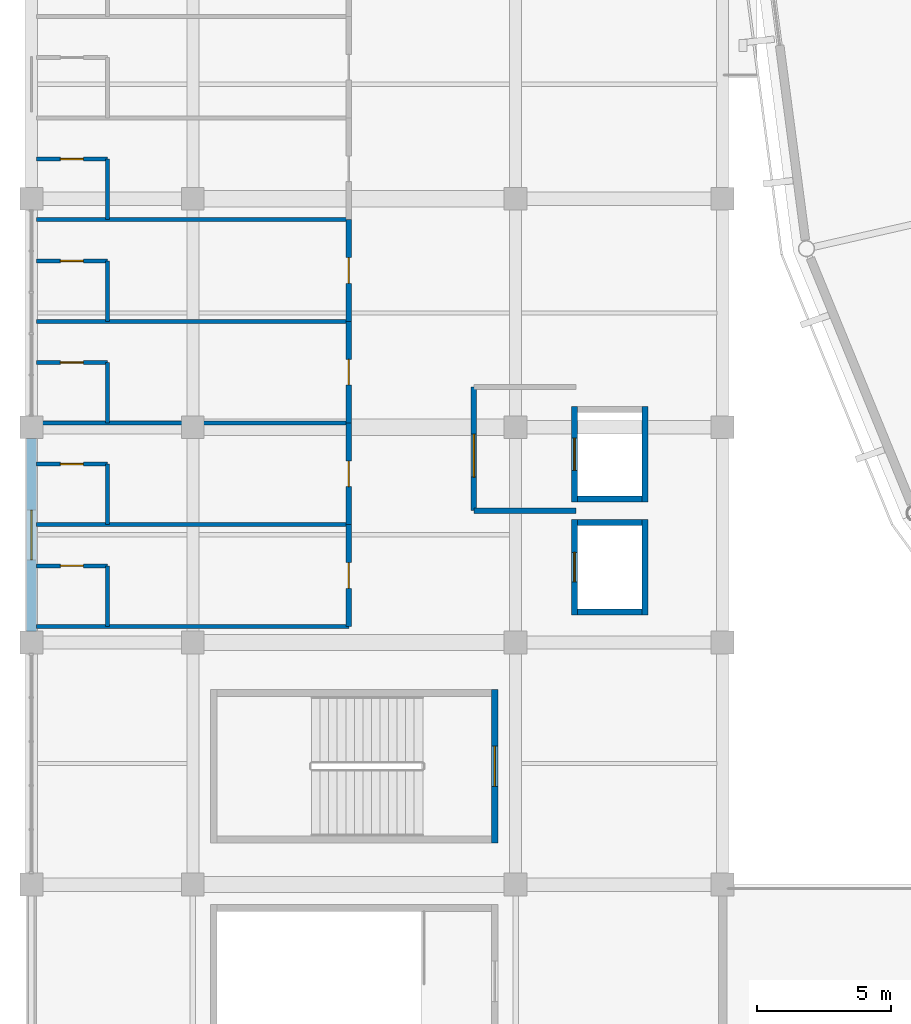
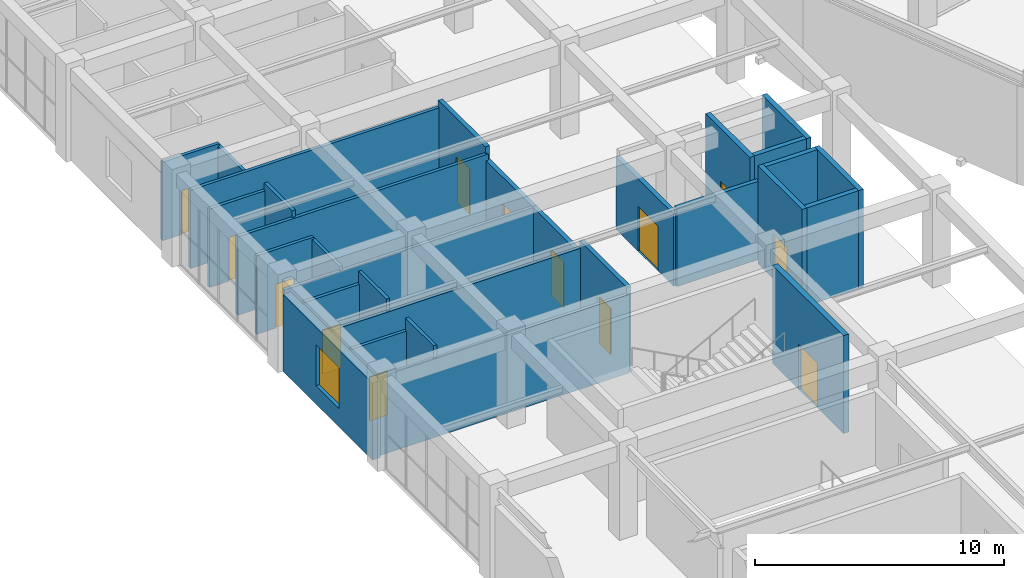
# One storey, part 94 of 122: 30 walls, 13 doors, 1 window, 14 openings.
"""IFC4 building model written with IfcOpenShell, lengths in metres."""

from ifc_helpers import new_model, si_unit, direction, frame, frame_2d, origin, place, context, subcontext, project, spatial, rectangle, extrude, material, layer, layer_set, type_object, element, fill, save


model = new_model("IFC4")

# Units and contexts
model_context = context("Model", 3, precision=1e-05, world=origin(), true_north=direction((0.0, 1.0)))
body_context = subcontext(model_context, "Body", "Model", "MODEL_VIEW")
ifc_project = project(units=[si_unit("LENGTHUNIT", "METRE"), si_unit("AREAUNIT", "SQUARE_METRE"), si_unit("VOLUMEUNIT", "CUBIC_METRE"), si_unit("PLANEANGLEUNIT", "RADIAN"), si_unit("MASSUNIT", "GRAM", prefix="KILO")], contexts=[model_context])

# Site, building, storey
site_placement = place(None, origin())
site = spatial("IfcSite", under=ifc_project, at=site_placement, CompositionType="ELEMENT")
building_placement = place(site_placement, origin())
building = spatial("IfcBuilding", under=site, at=building_placement, Name="Cuetzalor Civic Arena", CompositionType="ELEMENT")
storey_placement = place(building_placement, frame((0.0, 0.0, 16.199951171875)))
storey = spatial("IfcBuildingStorey", under=building, at=storey_placement, Name="L03", CompositionType="ELEMENT", Elevation=16.199951171875)

# Wall
ifc_material_1 = material(Name="Acoustic steel-stud gypsum partition", Category="steel")
ifc_layer_1 = layer(ifc_material_1, 0.14990234375)
ifc_layer_set_1 = layer_set([ifc_layer_1], Name="Acoustic steel-stud gypsum partition")
wall_type_1 = type_object("IfcWallType", Name="AcousticGypsumPartition_150", PredefinedType="PARTITIONING", material=ifc_layer_set_1)
wall_1_placement = place(storey_placement, frame((-81.820068359375, -24.39990234375, 0.0), z_axis=(0.0, 0.0, 1.0), x_axis=(1.0, 0.0, 0.0)))
element("IfcWall", 1, at=wall_1_placement, inside=storey, type_object=wall_type_1, Name="Interior Partition IWALL:L03:0387", PredefinedType="PARTITIONING", context=body_context, shape_type="SweptSolid", body=[
    extrude(rectangle(XDim=11.6201171875, YDim=0.14990234375, at=frame_2d((5.81005859375, 0.0))), origin(), (0.0, 0.0, 1.0), 3.844970703125),
])

# Wall, opening, door
wall_2_placement = place(storey_placement, frame((-81.820068359375, -22.14990234375, 0.0), z_axis=(0.0, 0.0, 1.0), x_axis=(1.0, 0.0, 0.0)))
wall_2 = element("IfcWall", 2, at=wall_2_placement, inside=storey, type_object=wall_type_1, Name="Interior Partition IWALL:L03:0388", PredefinedType="PARTITIONING", context=body_context, shape_type="SweptSolid", body=[
    extrude(rectangle(XDim=2.650146484375, YDim=0.14990234375, at=frame_2d((1.3251953125, 0.0))), origin(), (0.0, 0.0, 1.0), 3.844970703125),
])
opening_1_placement = place(wall_2_placement, frame((0.89990234375, 0.0, 0.0)))
opening_1 = element("IfcOpeningElement", 3, at=opening_1_placement, cuts=wall_2, Name="Opening ID-01", PredefinedType="OPENING", context=body_context, shape_type="SweptSolid", body=[
    extrude(rectangle(XDim=0.85009765625, YDim=2.14990234375, at=frame_2d((0.425048828125, 1.074951171875))), frame((0.0, 0.0849609375, 0.0), z_axis=(0.0, -1.0, 0.0), x_axis=(1.0, 0.0, 0.0)), (0.0, 0.0, 1.0), 0.169921875),
])
ifc_material_2 = material(Name="Painted steel frame and solid timber leaf", Category="steel")
door_type_1 = type_object("IfcDoorType", Name="InteriorSingleDoor_850x2150", OperationType="NOTDEFINED", PredefinedType="DOOR", material=ifc_material_2)
door_1_placement = place(opening_1_placement, origin())
door_1 = element("IfcDoor", 4, at=door_1_placement, inside=storey, type_object=door_type_1, Name="Door to Suite Bathroom 301", OperationType="SINGLE_SWING_LEFT", OverallHeight=2.14990234375, OverallWidth=0.85009765625, PredefinedType="DOOR", context=body_context, shape_type="SweptSolid", body=[
    extrude(rectangle(XDim=0.85009765625, YDim=2.14990234375, at=frame_2d((0.425048828125, 1.074951171875))), frame((0.0, 0.02490234375, 0.0), z_axis=(0.0, -1.0, 0.0), x_axis=(1.0, 0.0, 0.0)), (0.0, 0.0, 1.0), 0.050048828125),
])
fill(opening_1, door_1)

# Walls
wall_3_placement = place(storey_placement, frame((-79.169921875, -22.14990234375, 0.0), z_axis=(0.0, 0.0, 1.0), x_axis=(0.0, -1.0, 0.0)))
element("IfcWall", 5, at=wall_3_placement, inside=storey, type_object=wall_type_1, Name="Interior Partition IWALL:L03:0389", PredefinedType="PARTITIONING", context=body_context, shape_type="SweptSolid", body=[
    extrude(rectangle(XDim=2.25, YDim=0.14990234375, at=frame_2d((1.125, 0.0))), origin(), (0.0, 0.0, 1.0), 4.43994140625),
])
wall_4_placement = place(storey_placement, frame((-81.820068359375, -20.6201171875, 0.0), z_axis=(0.0, 0.0, 1.0), x_axis=(1.0, 0.0, 0.0)))
element("IfcWall", 6, at=wall_4_placement, inside=storey, type_object=wall_type_1, Name="Interior Partition IWALL:L03:0391", PredefinedType="PARTITIONING", context=body_context, shape_type="SweptSolid", body=[
    extrude(rectangle(XDim=11.6201171875, YDim=0.14990234375, at=frame_2d((5.81005859375, 0.0))), origin(), (0.0, 0.0, 1.0), 3.844970703125),
])

# Wall, opening, door
wall_5_placement = place(storey_placement, frame((-81.820068359375, -18.3701171875, 0.0), z_axis=(0.0, 0.0, 1.0), x_axis=(1.0, 0.0, 0.0)))
wall_5 = element("IfcWall", 7, at=wall_5_placement, inside=storey, type_object=wall_type_1, Name="Interior Partition IWALL:L03:0392", PredefinedType="PARTITIONING", context=body_context, shape_type="SweptSolid", body=[
    extrude(rectangle(XDim=2.650146484375, YDim=0.14990234375, at=frame_2d((1.3251953125, 0.0))), origin(), (0.0, 0.0, 1.0), 3.844970703125),
])
opening_2_placement = place(wall_5_placement, frame((0.89990234375, 0.0, 0.0)))
opening_2 = element("IfcOpeningElement", 8, at=opening_2_placement, cuts=wall_5, Name="Opening ID-01", PredefinedType="OPENING", context=body_context, shape_type="SweptSolid", body=[
    extrude(rectangle(XDim=0.85009765625, YDim=2.14990234375, at=frame_2d((0.425048828125, 1.074951171875))), frame((0.0, 0.0849609375, 0.0), z_axis=(0.0, -1.0, 0.0), x_axis=(1.0, 0.0, 0.0)), (0.0, 0.0, 1.0), 0.169921875),
])
door_2_placement = place(opening_2_placement, origin())
door_2 = element("IfcDoor", 9, at=door_2_placement, inside=storey, type_object=door_type_1, Name="Door to Suite Bathroom 302", OperationType="SINGLE_SWING_LEFT", OverallHeight=2.14990234375, OverallWidth=0.85009765625, PredefinedType="DOOR", context=body_context, shape_type="SweptSolid", body=[
    extrude(rectangle(XDim=0.85009765625, YDim=2.14990234375, at=frame_2d((0.425048828125, 1.074951171875))), frame((0.0, 0.02490234375, 0.0), z_axis=(0.0, -1.0, 0.0), x_axis=(1.0, 0.0, 0.0)), (0.0, 0.0, 1.0), 0.050048828125),
])
fill(opening_2, door_2)

# Walls
wall_6_placement = place(storey_placement, frame((-79.169921875, -18.3701171875, 0.0), z_axis=(0.0, 0.0, 1.0), x_axis=(0.0, -1.0, 0.0)))
element("IfcWall", 10, at=wall_6_placement, inside=storey, type_object=wall_type_1, Name="Interior Partition IWALL:L03:0393", PredefinedType="PARTITIONING", context=body_context, shape_type="SweptSolid", body=[
    extrude(rectangle(XDim=2.25, YDim=0.14990234375, at=frame_2d((1.125, 0.0))), origin(), (0.0, 0.0, 1.0), 4.43994140625),
])
wall_7_placement = place(storey_placement, frame((-81.820068359375, -16.840087890625, 0.0), z_axis=(0.0, 0.0, 1.0), x_axis=(1.0, 0.0, 0.0)))
element("IfcWall", 11, at=wall_7_placement, inside=storey, type_object=wall_type_1, Name="Interior Partition IWALL:L03:0395", PredefinedType="PARTITIONING", context=body_context, shape_type="SweptSolid", body=[
    extrude(rectangle(XDim=11.6201171875, YDim=0.14990234375, at=frame_2d((5.81005859375, 0.0))), origin(), (0.0, 0.0, 1.0), 3.545166015625),
])

# Wall, opening, door
wall_8_placement = place(storey_placement, frame((-81.820068359375, -14.590087890625, 0.0), z_axis=(0.0, 0.0, 1.0), x_axis=(1.0, 0.0, 0.0)))
wall_8 = element("IfcWall", 12, at=wall_8_placement, inside=storey, type_object=wall_type_1, Name="Interior Partition IWALL:L03:0396", PredefinedType="PARTITIONING", context=body_context, shape_type="SweptSolid", body=[
    extrude(rectangle(XDim=2.650146484375, YDim=0.14990234375, at=frame_2d((1.3251953125, 0.0))), origin(), (0.0, 0.0, 1.0), 3.844970703125),
])
opening_3_placement = place(wall_8_placement, frame((0.89990234375, 0.0, 0.0)))
opening_3 = element("IfcOpeningElement", 13, at=opening_3_placement, cuts=wall_8, Name="Opening ID-01", PredefinedType="OPENING", context=body_context, shape_type="SweptSolid", body=[
    extrude(rectangle(XDim=0.85009765625, YDim=2.14990234375, at=frame_2d((0.425048828125, 1.074951171875))), frame((0.0, 0.0849609375, 0.0), z_axis=(0.0, -1.0, 0.0), x_axis=(1.0, 0.0, 0.0)), (0.0, 0.0, 1.0), 0.169921875),
])
door_3_placement = place(opening_3_placement, origin())
door_3 = element("IfcDoor", 14, at=door_3_placement, inside=storey, type_object=door_type_1, Name="Door to Suite Bathroom 303", OperationType="SINGLE_SWING_LEFT", OverallHeight=2.14990234375, OverallWidth=0.85009765625, PredefinedType="DOOR", context=body_context, shape_type="SweptSolid", body=[
    extrude(rectangle(XDim=0.85009765625, YDim=2.14990234375, at=frame_2d((0.425048828125, 1.074951171875))), frame((0.0, 0.02490234375, 0.0), z_axis=(0.0, -1.0, 0.0), x_axis=(1.0, 0.0, 0.0)), (0.0, 0.0, 1.0), 0.050048828125),
])
fill(opening_3, door_3)

# Walls
wall_9_placement = place(storey_placement, frame((-79.169921875, -14.590087890625, 0.0), z_axis=(0.0, 0.0, 1.0), x_axis=(0.0, -1.0, 0.0)))
element("IfcWall", 15, at=wall_9_placement, inside=storey, type_object=wall_type_1, Name="Interior Partition IWALL:L03:0397", PredefinedType="PARTITIONING", context=body_context, shape_type="SweptSolid", body=[
    extrude(rectangle(XDim=2.25, YDim=0.14990234375, at=frame_2d((1.125, 0.0))), origin(), (0.0, 0.0, 1.0), 3.7451171875),
])
wall_10_placement = place(storey_placement, frame((-81.820068359375, -13.06005859375, 0.0), z_axis=(0.0, 0.0, 1.0), x_axis=(1.0, 0.0, 0.0)))
element("IfcWall", 16, at=wall_10_placement, inside=storey, type_object=wall_type_1, Name="Interior Partition IWALL:L03:0399", PredefinedType="PARTITIONING", context=body_context, shape_type="SweptSolid", body=[
    extrude(rectangle(XDim=11.6201171875, YDim=0.14990234375, at=frame_2d((5.81005859375, 0.0))), origin(), (0.0, 0.0, 1.0), 3.844970703125),
])

# Wall, opening, door
wall_11_placement = place(storey_placement, frame((-81.820068359375, -10.81005859375, 0.0), z_axis=(0.0, 0.0, 1.0), x_axis=(1.0, 0.0, 0.0)))
wall_11 = element("IfcWall", 17, at=wall_11_placement, inside=storey, type_object=wall_type_1, Name="Interior Partition IWALL:L03:0400", PredefinedType="PARTITIONING", context=body_context, shape_type="SweptSolid", body=[
    extrude(rectangle(XDim=2.650146484375, YDim=0.14990234375, at=frame_2d((1.3251953125, 0.0))), origin(), (0.0, 0.0, 1.0), 3.844970703125),
])
opening_4_placement = place(wall_11_placement, frame((0.89990234375, 0.0, 0.0)))
opening_4 = element("IfcOpeningElement", 18, at=opening_4_placement, cuts=wall_11, Name="Opening ID-01", PredefinedType="OPENING", context=body_context, shape_type="SweptSolid", body=[
    extrude(rectangle(XDim=0.85009765625, YDim=2.14990234375, at=frame_2d((0.425048828125, 1.074951171875))), frame((0.0, 0.0849609375, 0.0), z_axis=(0.0, -1.0, 0.0), x_axis=(1.0, 0.0, 0.0)), (0.0, 0.0, 1.0), 0.169921875),
])
door_4_placement = place(opening_4_placement, origin())
door_4 = element("IfcDoor", 19, at=door_4_placement, inside=storey, type_object=door_type_1, Name="Door to Suite Bathroom 304", OperationType="SINGLE_SWING_LEFT", OverallHeight=2.14990234375, OverallWidth=0.85009765625, PredefinedType="DOOR", context=body_context, shape_type="SweptSolid", body=[
    extrude(rectangle(XDim=0.85009765625, YDim=2.14990234375, at=frame_2d((0.425048828125, 1.074951171875))), frame((0.0, 0.02490234375, 0.0), z_axis=(0.0, -1.0, 0.0), x_axis=(1.0, 0.0, 0.0)), (0.0, 0.0, 1.0), 0.050048828125),
])
fill(opening_4, door_4)

# Walls
wall_12_placement = place(storey_placement, frame((-79.169921875, -10.81005859375, 0.0), z_axis=(0.0, 0.0, 1.0), x_axis=(0.0, -1.0, 0.0)))
element("IfcWall", 20, at=wall_12_placement, inside=storey, type_object=wall_type_1, Name="Interior Partition IWALL:L03:0401", PredefinedType="PARTITIONING", context=body_context, shape_type="SweptSolid", body=[
    extrude(rectangle(XDim=2.25, YDim=0.14990234375, at=frame_2d((1.125, 0.0))), origin(), (0.0, 0.0, 1.0), 4.18212890625),
])
wall_13_placement = place(storey_placement, frame((-81.820068359375, -9.280029296875, 0.0), z_axis=(0.0, 0.0, 1.0), x_axis=(1.0, 0.0, 0.0)))
element("IfcWall", 21, at=wall_13_placement, inside=storey, type_object=wall_type_1, Name="Interior Partition IWALL:L03:0403", PredefinedType="PARTITIONING", context=body_context, shape_type="SweptSolid", body=[
    extrude(rectangle(XDim=11.6201171875, YDim=0.14990234375, at=frame_2d((5.81005859375, 0.0))), origin(), (0.0, 0.0, 1.0), 3.844970703125),
])

# Wall, opening, door
wall_14_placement = place(storey_placement, frame((-81.820068359375, -7.030029296875, 0.0), z_axis=(0.0, 0.0, 1.0), x_axis=(1.0, 0.0, 0.0)))
wall_14 = element("IfcWall", 22, at=wall_14_placement, inside=storey, type_object=wall_type_1, Name="Interior Partition IWALL:L03:0404", PredefinedType="PARTITIONING", context=body_context, shape_type="SweptSolid", body=[
    extrude(rectangle(XDim=2.650146484375, YDim=0.14990234375, at=frame_2d((1.3251953125, 0.0))), origin(), (0.0, 0.0, 1.0), 3.844970703125),
])
opening_5_placement = place(wall_14_placement, frame((0.89990234375, 0.0, 0.0)))
opening_5 = element("IfcOpeningElement", 23, at=opening_5_placement, cuts=wall_14, Name="Opening ID-01", PredefinedType="OPENING", context=body_context, shape_type="SweptSolid", body=[
    extrude(rectangle(XDim=0.85009765625, YDim=2.14990234375, at=frame_2d((0.425048828125, 1.074951171875))), frame((0.0, 0.0849609375, 0.0), z_axis=(0.0, -1.0, 0.0), x_axis=(1.0, 0.0, 0.0)), (0.0, 0.0, 1.0), 0.169921875),
])
door_5_placement = place(opening_5_placement, origin())
door_5 = element("IfcDoor", 24, at=door_5_placement, inside=storey, type_object=door_type_1, Name="Door to Suite Bathroom 305", OperationType="SINGLE_SWING_LEFT", OverallHeight=2.14990234375, OverallWidth=0.85009765625, PredefinedType="DOOR", context=body_context, shape_type="SweptSolid", body=[
    extrude(rectangle(XDim=0.85009765625, YDim=2.14990234375, at=frame_2d((0.425048828125, 1.074951171875))), frame((0.0, 0.02490234375, 0.0), z_axis=(0.0, -1.0, 0.0), x_axis=(1.0, 0.0, 0.0)), (0.0, 0.0, 1.0), 0.050048828125),
])
fill(opening_5, door_5)

# Wall
wall_15_placement = place(storey_placement, frame((-79.169921875, -7.030029296875, 0.0), z_axis=(0.0, 0.0, 1.0), x_axis=(0.0, -1.0, 0.0)))
element("IfcWall", 25, at=wall_15_placement, inside=storey, type_object=wall_type_1, Name="Interior Partition IWALL:L03:0405", PredefinedType="PARTITIONING", context=body_context, shape_type="SweptSolid", body=[
    extrude(rectangle(XDim=2.25, YDim=0.14990234375, at=frame_2d((1.125, 0.0))), origin(), (0.0, 0.0, 1.0), 3.7451171875),
])

# Wall, opening, door
ifc_material_3 = material(Name="Concrete C40/50", Category="concrete")
ifc_layer_2 = layer(ifc_material_3, 0.25)
ifc_layer_set_2 = layer_set([ifc_layer_2], Name="Concrete C40/50")
wall_type_2 = type_object("IfcWallType", Name="ConcreteCoreShearWall_250", PredefinedType="SHEAR", material=ifc_layer_set_2)
wall_16_placement = place(storey_placement, frame((-64.77490234375, -26.75, 0.0), z_axis=(0.0, 0.0, 1.0), x_axis=(0.0, -1.0, 0.0)))
wall_16 = element("IfcWall", 26, at=wall_16_placement, inside=storey, type_object=wall_type_2, Name="Stair Core Shear Wall ST-16-L03-E", PredefinedType="SHEAR", context=body_context, shape_type="SweptSolid", body=[
    extrude(rectangle(XDim=5.699951171875, YDim=0.25, at=frame_2d((2.85009765625, 0.0))), origin(), (0.0, 0.0, 1.0), 4.800048828125),
])
opening_6_placement = place(wall_16_placement, frame((2.10009765625, 0.0, 0.0)))
opening_6 = element("IfcOpeningElement", 27, at=opening_6_placement, cuts=wall_16, Name="Opening FD-03", PredefinedType="OPENING", context=body_context, shape_type="SweptSolid", body=[
    extrude(rectangle(XDim=1.5, YDim=2.199951171875, at=frame_2d((0.75, 1.10009765625))), frame((0.0, 0.135009765625, 0.0), z_axis=(0.0, -1.0, 0.0), x_axis=(1.0, 0.0, 0.0)), (0.0, 0.0, 1.0), 0.27001953125),
])
ifc_material_4 = material(Name="Fire-rated steel stair exit double door", Category="steel")
door_type_2 = type_object("IfcDoorType", Name="StairFireDoubleDoor_1500x2200", OperationType="DOUBLE_DOOR_SINGLE_SWING", PredefinedType="DOOR", material=ifc_material_4)
door_6_placement = place(opening_6_placement, origin())
door_6 = element("IfcDoor", 28, at=door_6_placement, inside=storey, type_object=door_type_2, Name="Fire Stair Door ST-16 L03", OperationType="DOUBLE_DOOR_SINGLE_SWING", OverallHeight=2.199951171875, OverallWidth=1.5, PredefinedType="DOOR", context=body_context, shape_type="SweptSolid", body=[
    extrude(rectangle(XDim=1.5, YDim=2.199951171875, at=frame_2d((0.75, 1.10009765625))), frame((0.0, 0.02490234375, 0.0), z_axis=(0.0, -1.0, 0.0), x_axis=(1.0, 0.0, 0.0)), (0.0, 0.0, 1.0), 0.050048828125),
])
fill(opening_6, door_6)

ifc_material_5 = material(Name="Fire-rated masonry and gypsum partition", Category="masonry")
ifc_layer_3 = layer(ifc_material_5, 0.199951171875)
ifc_layer_set_3 = layer_set([ifc_layer_3], Name="Fire-rated masonry and gypsum partition")
wall_type_3 = type_object("IfcWallType", Name="FireCompartmentWall_200", PredefinedType="PARTITIONING", material=ifc_layer_set_3)
wall_17_placement = place(storey_placement, frame((-65.550048828125, -20.10009765625, 0.0), z_axis=(0.0, 0.0, 1.0), x_axis=(0.0, 1.0, 0.0)))
wall_17 = element("IfcWall", 29, at=wall_17_placement, inside=storey, type_object=wall_type_3, Name="Interior Partition IWALL:L03:0010", PredefinedType="PARTITIONING", context=body_context, shape_type="SweptSolid", body=[
    extrude(rectangle(XDim=4.60009765625, YDim=0.199951171875, at=frame_2d((2.300048828125, 0.0))), origin(), (0.0, 0.0, 1.0), 3.545166015625),
])
opening_7_placement = place(wall_17_placement, frame((1.25, 0.0, 0.0)))
opening_7 = element("IfcOpeningElement", 30, at=opening_7_placement, cuts=wall_17, Name="Opening FD-05", PredefinedType="OPENING", context=body_context, shape_type="SweptSolid", body=[
    extrude(rectangle(XDim=1.60009765625, YDim=2.199951171875, at=frame_2d((0.800048828125, 1.10009765625))), frame((0.0, 0.10986328125, 0.0), z_axis=(0.0, -1.0, 0.0), x_axis=(1.0, 0.0, 0.0)), (0.0, 0.0, 1.0), 0.219970703125),
])
ifc_material_6 = material(Name="Fire-rated smoke-seal lobby double door", Category="steel")
door_type_3 = type_object("IfcDoorType", Name="FireLobbyDoubleDoor_1600x2200", OperationType="DOUBLE_DOOR_SINGLE_SWING", PredefinedType="DOOR", material=ifc_material_6)
door_7_placement = place(opening_7_placement, origin())
door_7 = element("IfcDoor", 31, at=door_7_placement, inside=storey, type_object=door_type_3, Name="Door to Firefighting Lift Lobby LF-01 L03", OperationType="DOUBLE_DOOR_SINGLE_SWING", OverallHeight=2.199951171875, OverallWidth=1.60009765625, PredefinedType="DOOR", context=body_context, shape_type="SweptSolid", body=[
    extrude(rectangle(XDim=1.60009765625, YDim=2.199951171875, at=frame_2d((0.800048828125, 1.10009765625))), frame((0.0, 0.02490234375, 0.0), z_axis=(0.0, -1.0, 0.0), x_axis=(1.0, 0.0, 0.0)), (0.0, 0.0, 1.0), 0.050048828125),
])
fill(opening_7, door_7)

# Wall
wall_18_placement = place(storey_placement, frame((-61.75, -20.10009765625, 0.0), z_axis=(0.0, 0.0, 1.0), x_axis=(-1.0, 0.0, 0.0)))
element("IfcWall", 32, at=wall_18_placement, inside=storey, type_object=wall_type_3, Name="Interior Partition IWALL:L03:0012", PredefinedType="PARTITIONING", context=body_context, shape_type="SweptSolid", body=[
    extrude(rectangle(XDim=3.800048828125, YDim=0.199951171875, at=frame_2d((1.89990234375, 0.0))), origin(), (0.0, 0.0, 1.0), 3.844970703125),
])

# Wall, opening, door
wall_19_placement = place(storey_placement, frame((-70.199951171875, -20.6201171875, 0.0), z_axis=(0.0, 0.0, 1.0), x_axis=(0.0, -1.0, 0.0)))
wall_19 = element("IfcWall", 33, at=wall_19_placement, inside=storey, type_object=wall_type_3, Name="Interior Partition IWALL:L03:0390", PredefinedType="PARTITIONING", context=body_context, shape_type="SweptSolid", body=[
    extrude(rectangle(XDim=3.77978515625, YDim=0.199951171875, at=frame_2d((1.889892578125, 0.0))), origin(), (0.0, 0.0, 1.0), 4.18212890625),
])
opening_8_placement = place(wall_19_placement, frame((1.4150390625, 0.0, 0.0)))
opening_8 = element("IfcOpeningElement", 34, at=opening_8_placement, cuts=wall_19, Name="Opening ID-05", PredefinedType="OPENING", context=body_context, shape_type="SweptSolid", body=[
    extrude(rectangle(XDim=0.949951171875, YDim=2.25, at=frame_2d((0.47509765625, 1.125))), frame((0.0, 0.10986328125, 0.0), z_axis=(0.0, -1.0, 0.0), x_axis=(1.0, 0.0, 0.0)), (0.0, 0.0, 1.0), 0.219970703125),
])
ifc_material_7 = material(Name="Bronze-clad fire-rated acoustic timber door", Category="wood")
door_type_4 = type_object("IfcDoorType", Name="SuiteEntryDoor_950x2150", OperationType="NOTDEFINED", PredefinedType="DOOR", material=ifc_material_7)
door_8_placement = place(opening_8_placement, origin())
door_8 = element("IfcDoor", 35, at=door_8_placement, inside=storey, type_object=door_type_4, Name="Door to Private Viewing Suite 301", OperationType="SINGLE_SWING_RIGHT", OverallHeight=2.25, OverallWidth=0.949951171875, PredefinedType="DOOR", context=body_context, shape_type="SweptSolid", body=[
    extrude(rectangle(XDim=0.949951171875, YDim=2.25, at=frame_2d((0.47509765625, 1.125))), frame((0.0, 0.02490234375, 0.0), z_axis=(0.0, -1.0, 0.0), x_axis=(1.0, 0.0, 0.0)), (0.0, 0.0, 1.0), 0.050048828125),
])
fill(opening_8, door_8)

wall_20_placement = place(storey_placement, frame((-70.199951171875, -16.840087890625, 0.0), z_axis=(0.0, 0.0, 1.0), x_axis=(0.0, -1.0, 0.0)))
wall_20 = element("IfcWall", 36, at=wall_20_placement, inside=storey, type_object=wall_type_3, Name="Interior Partition IWALL:L03:0394", PredefinedType="PARTITIONING", context=body_context, shape_type="SweptSolid", body=[
    extrude(rectangle(XDim=3.780029296875, YDim=0.199951171875, at=frame_2d((1.89013671875, 0.0))), origin(), (0.0, 0.0, 1.0), 3.545166015625),
])
opening_9_placement = place(wall_20_placement, frame((1.4150390625, 0.0, 0.0)))
opening_9 = element("IfcOpeningElement", 37, at=opening_9_placement, cuts=wall_20, Name="Opening ID-05", PredefinedType="OPENING", context=body_context, shape_type="SweptSolid", body=[
    extrude(rectangle(XDim=0.949951171875, YDim=2.25, at=frame_2d((0.47509765625, 1.125))), frame((0.0, 0.10986328125, 0.0), z_axis=(0.0, -1.0, 0.0), x_axis=(1.0, 0.0, 0.0)), (0.0, 0.0, 1.0), 0.219970703125),
])
door_9_placement = place(opening_9_placement, origin())
door_9 = element("IfcDoor", 38, at=door_9_placement, inside=storey, type_object=door_type_4, Name="Door to Private Viewing Suite 302", OperationType="SINGLE_SWING_RIGHT", OverallHeight=2.25, OverallWidth=0.949951171875, PredefinedType="DOOR", context=body_context, shape_type="SweptSolid", body=[
    extrude(rectangle(XDim=0.949951171875, YDim=2.25, at=frame_2d((0.47509765625, 1.125))), frame((0.0, 0.02490234375, 0.0), z_axis=(0.0, -1.0, 0.0), x_axis=(1.0, 0.0, 0.0)), (0.0, 0.0, 1.0), 0.050048828125),
])
fill(opening_9, door_9)

wall_21_placement = place(storey_placement, frame((-70.199951171875, -13.06005859375, 0.0), z_axis=(0.0, 0.0, 1.0), x_axis=(0.0, -1.0, 0.0)))
wall_21 = element("IfcWall", 39, at=wall_21_placement, inside=storey, type_object=wall_type_3, Name="Interior Partition IWALL:L03:0398", PredefinedType="PARTITIONING", context=body_context, shape_type="SweptSolid", body=[
    extrude(rectangle(XDim=3.780029296875, YDim=0.199951171875, at=frame_2d((1.89013671875, 0.0))), origin(), (0.0, 0.0, 1.0), 3.545166015625),
])
opening_10_placement = place(wall_21_placement, frame((1.4150390625, 0.0, 0.0)))
opening_10 = element("IfcOpeningElement", 40, at=opening_10_placement, cuts=wall_21, Name="Opening ID-05", PredefinedType="OPENING", context=body_context, shape_type="SweptSolid", body=[
    extrude(rectangle(XDim=0.949951171875, YDim=2.25, at=frame_2d((0.47509765625, 1.125))), frame((0.0, 0.10986328125, 0.0), z_axis=(0.0, -1.0, 0.0), x_axis=(1.0, 0.0, 0.0)), (0.0, 0.0, 1.0), 0.219970703125),
])
door_10_placement = place(opening_10_placement, origin())
door_10 = element("IfcDoor", 41, at=door_10_placement, inside=storey, type_object=door_type_4, Name="Door to Private Viewing Suite 303", OperationType="SINGLE_SWING_RIGHT", OverallHeight=2.25, OverallWidth=0.949951171875, PredefinedType="DOOR", context=body_context, shape_type="SweptSolid", body=[
    extrude(rectangle(XDim=0.949951171875, YDim=2.25, at=frame_2d((0.47509765625, 1.125))), frame((0.0, 0.02490234375, 0.0), z_axis=(0.0, -1.0, 0.0), x_axis=(1.0, 0.0, 0.0)), (0.0, 0.0, 1.0), 0.050048828125),
])
fill(opening_10, door_10)

wall_22_placement = place(storey_placement, frame((-70.199951171875, -9.280029296875, 0.0), z_axis=(0.0, 0.0, 1.0), x_axis=(0.0, -1.0, 0.0)))
wall_22 = element("IfcWall", 42, at=wall_22_placement, inside=storey, type_object=wall_type_3, Name="Interior Partition IWALL:L03:0402", PredefinedType="PARTITIONING", context=body_context, shape_type="SweptSolid", body=[
    extrude(rectangle(XDim=3.780029296875, YDim=0.199951171875, at=frame_2d((1.89013671875, 0.0))), origin(), (0.0, 0.0, 1.0), 4.18212890625),
])
opening_11_placement = place(wall_22_placement, frame((1.4150390625, 0.0, 0.0)))
opening_11 = element("IfcOpeningElement", 43, at=opening_11_placement, cuts=wall_22, Name="Opening ID-05", PredefinedType="OPENING", context=body_context, shape_type="SweptSolid", body=[
    extrude(rectangle(XDim=0.949951171875, YDim=2.25, at=frame_2d((0.47509765625, 1.125))), frame((0.0, 0.10986328125, 0.0), z_axis=(0.0, -1.0, 0.0), x_axis=(1.0, 0.0, 0.0)), (0.0, 0.0, 1.0), 0.219970703125),
])
door_11_placement = place(opening_11_placement, origin())
door_11 = element("IfcDoor", 44, at=door_11_placement, inside=storey, type_object=door_type_4, Name="Door to Private Viewing Suite 304", OperationType="SINGLE_SWING_RIGHT", OverallHeight=2.25, OverallWidth=0.949951171875, PredefinedType="DOOR", context=body_context, shape_type="SweptSolid", body=[
    extrude(rectangle(XDim=0.949951171875, YDim=2.25, at=frame_2d((0.47509765625, 1.125))), frame((0.0, 0.02490234375, 0.0), z_axis=(0.0, -1.0, 0.0), x_axis=(1.0, 0.0, 0.0)), (0.0, 0.0, 1.0), 0.050048828125),
])
fill(opening_11, door_11)

ifc_material_8 = material(Name="Concrete C40/50", Category="concrete")
ifc_layer_4 = layer(ifc_material_8, 0.219970703125)
ifc_layer_set_4 = layer_set([ifc_layer_4], Name="Concrete C40/50")
wall_type_4 = type_object("IfcWallType", Name="LiftShaftShearWall_220", PredefinedType="SHEAR", material=ifc_layer_set_4)
wall_23_placement = place(storey_placement, frame((-61.81005859375, -19.77001953125, 0.0), z_axis=(0.0, 0.0, 1.0), x_axis=(0.0, 1.0, 0.0)))
wall_23 = element("IfcWall", 45, at=wall_23_placement, inside=storey, type_object=wall_type_4, Name="Lift Shaft Wall LF-01-L03-W", PredefinedType="SHEAR", context=body_context, shape_type="SweptSolid", body=[
    extrude(rectangle(XDim=3.5400390625, YDim=0.219970703125, at=frame_2d((1.77001953125, 0.0))), origin(), (0.0, 0.0, 1.0), 4.800048828125),
])
opening_12_placement = place(wall_23_placement, frame((1.169921875, 0.0, 0.0)))
opening_12 = element("IfcOpeningElement", 46, at=opening_12_placement, cuts=wall_23, Name="Opening LD-02", PredefinedType="OPENING", context=body_context, shape_type="SweptSolid", body=[
    extrude(rectangle(XDim=1.199951171875, YDim=2.199951171875, at=frame_2d((0.60009765625, 1.10009765625))), frame((0.0, 0.1201171875, 0.0), z_axis=(0.0, -1.0, 0.0), x_axis=(1.0, 0.0, 0.0)), (0.0, 0.0, 1.0), 0.239990234375),
])
ifc_material_9 = material(Name="Fire-rated stainless steel sliding lift landing door", Category="steel")
door_type_5 = type_object("IfcDoorType", Name="LiftLandingSlidingDoor_1200x2200", OperationType="SLIDING_TO_LEFT", PredefinedType="DOOR", material=ifc_material_9)
door_12_placement = place(opening_12_placement, origin())
door_12 = element("IfcDoor", 47, at=door_12_placement, inside=storey, type_object=door_type_5, Name="Lift Landing Sliding Door LF-01 L03", OperationType="SLIDING_TO_LEFT", OverallHeight=2.199951171875, OverallWidth=1.199951171875, PredefinedType="DOOR", context=body_context, shape_type="SweptSolid", body=[
    extrude(rectangle(XDim=1.199951171875, YDim=2.199951171875, at=frame_2d((0.60009765625, 1.10009765625))), frame((0.0, 0.02490234375, 0.0), z_axis=(0.0, -1.0, 0.0), x_axis=(1.0, 0.0, 0.0)), (0.0, 0.0, 1.0), 0.050048828125),
])
fill(opening_12, door_12)

# Walls
wall_24_placement = place(storey_placement, frame((-59.18994140625, -16.22998046875, 0.0), z_axis=(0.0, 0.0, 1.0), x_axis=(0.0, -1.0, 0.0)))
element("IfcWall", 48, at=wall_24_placement, inside=storey, type_object=wall_type_4, Name="Lift Shaft Wall LF-01-L03-E", PredefinedType="SHEAR", context=body_context, shape_type="SweptSolid", body=[
    extrude(rectangle(XDim=3.5400390625, YDim=0.219970703125, at=frame_2d((1.77001953125, 0.0))), origin(), (0.0, 0.0, 1.0), 4.800048828125),
])
wall_25_placement = place(storey_placement, frame((-59.300048828125, -19.659912109375, 0.0), z_axis=(0.0, 0.0, 1.0), x_axis=(-1.0, 0.0, 0.0)))
element("IfcWall", 49, at=wall_25_placement, inside=storey, type_object=wall_type_4, Name="Lift Shaft Wall LF-01-L03-S", PredefinedType="SHEAR", context=body_context, shape_type="SweptSolid", body=[
    extrude(rectangle(XDim=2.39990234375, YDim=0.219970703125, at=frame_2d((1.199951171875, 0.0))), origin(), (0.0, 0.0, 1.0), 4.800048828125),
])

# Wall, opening, door
wall_26_placement = place(storey_placement, frame((-61.81005859375, -23.969970703125, 0.0), z_axis=(0.0, 0.0, 1.0), x_axis=(0.0, 1.0, 0.0)))
wall_26 = element("IfcWall", 50, at=wall_26_placement, inside=storey, type_object=wall_type_4, Name="Lift Shaft Wall LP-03-L03-W", PredefinedType="SHEAR", context=body_context, shape_type="SweptSolid", body=[
    extrude(rectangle(XDim=3.5400390625, YDim=0.219970703125, at=frame_2d((1.77001953125, 0.0))), origin(), (0.0, 0.0, 1.0), 4.800048828125),
])
opening_13_placement = place(wall_26_placement, frame((1.219970703125, 0.0, 0.0)))
opening_13 = element("IfcOpeningElement", 51, at=opening_13_placement, cuts=wall_26, Name="Opening LD-01", PredefinedType="OPENING", context=body_context, shape_type="SweptSolid", body=[
    extrude(rectangle(XDim=1.10009765625, YDim=2.199951171875, at=frame_2d((0.550048828125, 1.10009765625))), frame((0.0, 0.1201171875, 0.0), z_axis=(0.0, -1.0, 0.0), x_axis=(1.0, 0.0, 0.0)), (0.0, 0.0, 1.0), 0.239990234375),
])
ifc_material_10 = material(Name="Brushed stainless steel sliding lift landing door", Category="steel")
door_type_6 = type_object("IfcDoorType", Name="LiftLandingSlidingDoor_1100x2200", OperationType="SLIDING_TO_LEFT", PredefinedType="DOOR", material=ifc_material_10)
door_13_placement = place(opening_13_placement, origin())
door_13 = element("IfcDoor", 52, at=door_13_placement, inside=storey, type_object=door_type_6, Name="Lift Landing Sliding Door LP-03 L03", OperationType="SLIDING_TO_LEFT", OverallHeight=2.199951171875, OverallWidth=1.10009765625, PredefinedType="DOOR", context=body_context, shape_type="SweptSolid", body=[
    extrude(rectangle(XDim=1.10009765625, YDim=2.199951171875, at=frame_2d((0.550048828125, 1.10009765625))), frame((0.0, 0.02490234375, 0.0), z_axis=(0.0, -1.0, 0.0), x_axis=(1.0, 0.0, 0.0)), (0.0, 0.0, 1.0), 0.050048828125),
])
fill(opening_13, door_13)

# Walls
wall_27_placement = place(storey_placement, frame((-61.699951171875, -20.5400390625, 0.0), z_axis=(0.0, 0.0, 1.0), x_axis=(1.0, 0.0, 0.0)))
element("IfcWall", 53, at=wall_27_placement, inside=storey, type_object=wall_type_4, Name="Lift Shaft Wall LP-03-L03-N", PredefinedType="SHEAR", context=body_context, shape_type="SweptSolid", body=[
    extrude(rectangle(XDim=2.39990234375, YDim=0.219970703125, at=frame_2d((1.199951171875, 0.0))), origin(), (0.0, 0.0, 1.0), 4.800048828125),
])
wall_28_placement = place(storey_placement, frame((-59.18994140625, -20.429931640625, 0.0), z_axis=(0.0, 0.0, 1.0), x_axis=(0.0, -1.0, 0.0)))
element("IfcWall", 54, at=wall_28_placement, inside=storey, type_object=wall_type_4, Name="Lift Shaft Wall LP-03-L03-E", PredefinedType="SHEAR", context=body_context, shape_type="SweptSolid", body=[
    extrude(rectangle(XDim=3.5400390625, YDim=0.219970703125, at=frame_2d((1.77001953125, 0.0))), origin(), (0.0, 0.0, 1.0), 4.800048828125),
])
wall_29_placement = place(storey_placement, frame((-59.300048828125, -23.860107421875, 0.0), z_axis=(0.0, 0.0, 1.0), x_axis=(-1.0, 0.0, 0.0)))
element("IfcWall", 55, at=wall_29_placement, inside=storey, type_object=wall_type_4, Name="Lift Shaft Wall LP-03-L03-S", PredefinedType="SHEAR", context=body_context, shape_type="SweptSolid", body=[
    extrude(rectangle(XDim=2.39990234375, YDim=0.219970703125, at=frame_2d((1.199951171875, 0.0))), origin(), (0.0, 0.0, 1.0), 4.800048828125),
])

# Wall, opening, window
ifc_material_11 = material(Name="Polychrome Talavera ceramic on Concrete C35/45", Category="concrete")
ifc_layer_5 = layer(ifc_material_11, 0.3798828125)
ifc_layer_set_5 = layer_set([ifc_layer_5], Name="Polychrome Talavera ceramic on Concrete C35/45")
wall_type_5 = type_object("IfcWallType", Name="TalaveraSpandrelWall_380", PredefinedType="SOLIDWALL", material=ifc_layer_set_5)
wall_30_placement = place(storey_placement, frame((-82.0, -24.593017578125, 0.0), z_axis=(0.0, 0.0, 1.0), x_axis=(0.0, 1.0, 0.0)))
wall_30 = element("IfcWall", 56, at=wall_30_placement, inside=storey, type_object=wall_type_5, Name="V4W Outer Talavera Wall L03-137", PredefinedType="SOLIDWALL", context=body_context, shape_type="SweptSolid", body=[
    extrude(rectangle(XDim=7.18603515625, YDim=0.3798828125, at=frame_2d((3.593017578125, 0.0))), origin(), (0.0, 0.0, 1.0), 3.760009765625),
])
opening_14_placement = place(wall_30_placement, frame((2.66796875, 0.0, 0.89990234375)))
opening_14 = element("IfcOpeningElement", 57, at=opening_14_placement, cuts=wall_30, Name="Opening WN-32", PredefinedType="OPENING", context=body_context, shape_type="SweptSolid", body=[
    extrude(rectangle(XDim=1.85009765625, YDim=2.0, at=frame_2d((0.925048828125, 1.0))), frame((0.0, 0.199951171875, 0.0), z_axis=(0.0, -1.0, 0.0), x_axis=(1.0, 0.0, 0.0)), (0.0, 0.0, 1.0), 0.39990234375),
])
ifc_material_12 = material(Name="Anodised bronze aluminium and low-E solar glass", Category="aluminium")
window_type = type_object("IfcWindowType", Name="BronzeThermalWindow_1850x2000", PartitioningType="SINGLE_PANEL", PredefinedType="WINDOW", material=ifc_material_12)
window_placement = place(opening_14_placement, origin())
window = element("IfcWindow", 58, at=window_placement, inside=storey, type_object=window_type, Name="V4W Facade Window L03-0032", OverallHeight=2.0, OverallWidth=1.85009765625, PartitioningType="SINGLE_PANEL", PredefinedType="WINDOW", context=body_context, shape_type="SweptSolid", body=[
    extrude(rectangle(XDim=1.85009765625, YDim=2.0, at=frame_2d((0.925048828125, 1.0))), frame((0.0, 0.030029296875, 0.0), z_axis=(0.0, -1.0, 0.0), x_axis=(1.0, 0.0, 0.0)), (0.0, 0.0, 1.0), 0.06005859375),
])
fill(opening_14, window)

save(model, "model.ifc")
